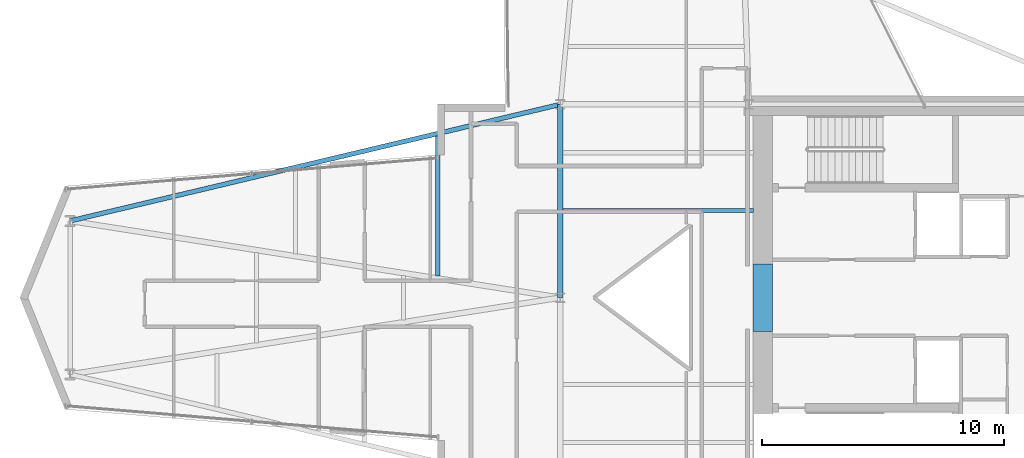
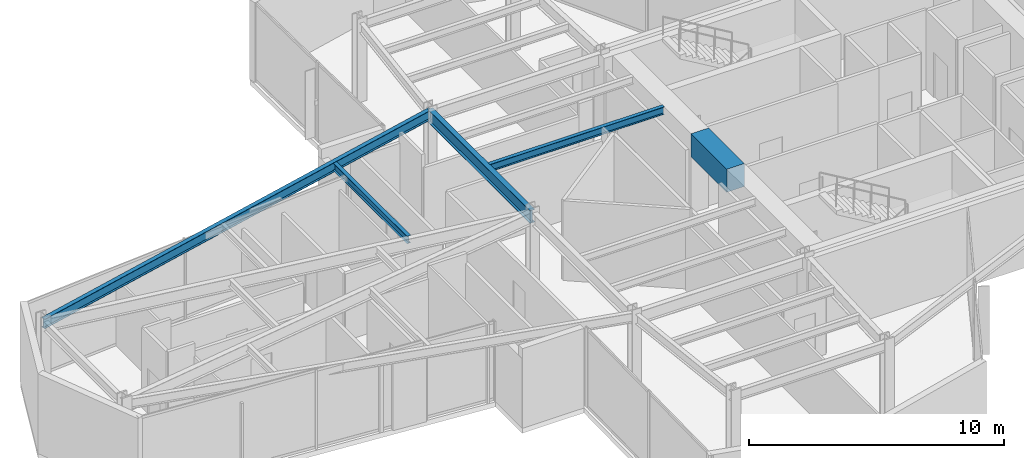
# One storey, part 9 of 25: 5 beams.
"""IFC4 building model written with IfcOpenShell, lengths in metres."""

import ifcopenshell
import ifcopenshell.guid

model = None  # the IFC model being written
_history = None  # IfcOwnerHistory: only IFC2X3 demands one
_inside = {}  # id of a spatial element -> (the spatial element, [elements in it])
_under = {}  # id of a project, library or spatial element -> (it, [spatial elements below it])
_declared = {}  # id of a project -> (the project, [libraries it declares])
_typed = {}  # id of a type object -> (the type object, [elements of that type])
_made_of = {}  # id of a material, layer set ... -> (it, [elements and type objects made of it])


def new_model(schema):
    """Start an empty IFC model of exactly this schema.

    Asked for "IFC4X3", IfcOpenShell would pick the latest addendum, in which some entities
    have other attributes; the version numbers below select the first issue.
    IFC2X3 requires an IfcOwnerHistory on every rooted entity: one is made here for all.
    """
    global model, _history
    if schema == "IFC4X3":
        model = ifcopenshell.file(schema_version=(4, 3, 0, 0))
    else:
        model = ifcopenshell.file(schema=schema)
    _inside.clear()
    _under.clear()
    _declared.clear()
    _typed.clear()
    _made_of.clear()
    _history = None
    if model.schema == "IFC2X3":
        org = make("IfcOrganization", Name="unknown")
        user = make(
            "IfcPersonAndOrganization",
            ThePerson=make("IfcPerson", FamilyName="unknown"),
            TheOrganization=org,
        )
        app = make(
            "IfcApplication",
            ApplicationDeveloper=org,
            Version="unknown",
            ApplicationFullName="unknown",
            ApplicationIdentifier="unknown",
        )
        _history = make(
            "IfcOwnerHistory",
            OwningUser=user,
            OwningApplication=app,
            ChangeAction="ADDED",
            CreationDate=0,
        )
    return model


def make(cls, **values):
    """One entity of the class cls with the attributes given. An attribute that is None is left unset."""
    return model.create_entity(
        cls, **{name: value for name, value in values.items() if value is not None}
    )


def rooted(cls, **values):
    """An entity with a GlobalId (a new one), such as an element, a storey or a relation."""
    return make(cls, GlobalId=ifcopenshell.guid.new(), OwnerHistory=_history, **values)


def si_unit(unit_type, name, prefix=None):
    """IfcSIUnit, for example si_unit("LENGTHUNIT", "METRE", prefix="MILLI")."""
    return make("IfcSIUnit", UnitType=unit_type, Prefix=prefix, Name=name)


def assignment(units):
    """IfcUnitAssignment: the units of a project."""
    return None if units is None else make("IfcUnitAssignment", Units=units)


def point(xyz):
    """IfcCartesianPoint."""
    return None if xyz is None else make("IfcCartesianPoint", Coordinates=xyz)


def direction(xyz):
    """IfcDirection."""
    return None if xyz is None else make("IfcDirection", DirectionRatios=xyz)


def frame(location, z_axis=None, x_axis=None):
    """IfcAxis2Placement3D, a coordinate frame: its origin and axes. An axis left out is left unset."""
    return make(
        "IfcAxis2Placement3D",
        Location=point(location),
        Axis=direction(z_axis),
        RefDirection=direction(x_axis),
    )


def frame_2d(location, x_axis=None):
    """IfcAxis2Placement2D, a coordinate frame in the plane: its origin and x axis."""
    return make(
        "IfcAxis2Placement2D", Location=point(location), RefDirection=direction(x_axis)
    )


def origin():
    """The frame at (0, 0, 0) with its axes left unset."""
    return frame((0.0, 0.0, 0.0))


def origin_2d():
    """The frame at (0, 0) in the plane with its x axis left unset."""
    return frame_2d((0.0, 0.0))


def place(relative_to, where):
    """IfcLocalPlacement: puts the frame where relative to a parent placement (None: the world)."""
    return make(
        "IfcLocalPlacement", PlacementRelTo=relative_to, RelativePlacement=where
    )


def context(
    kind, dimensions, precision=None, world=None, true_north=None, identifier=None
):
    """IfcGeometricRepresentationContext, for example the 3D "Model" context."""
    return make(
        "IfcGeometricRepresentationContext",
        ContextIdentifier=identifier,
        ContextType=kind,
        CoordinateSpaceDimension=dimensions,
        Precision=precision,
        WorldCoordinateSystem=world,
        TrueNorth=true_north,
    )


def subcontext(parent, identifier, kind, view, scale=None):
    """IfcGeometricRepresentationSubContext, for example "Body" below "Model"."""
    return make(
        "IfcGeometricRepresentationSubContext",
        ContextIdentifier=identifier,
        ContextType=kind,
        ParentContext=parent,
        TargetScale=scale,
        TargetView=view,
    )


def project(units=None, contexts=None):
    """IfcProject with its units and contexts."""
    return rooted(
        "IfcProject",
        Name="project",
        RepresentationContexts=contexts,
        UnitsInContext=assignment(units),
    )


def spatial(cls, under=None, at=None, **own):
    """A site, building, storey or space (cls), placed at a placement, below another one or the project."""
    s = rooted(cls, ObjectPlacement=at, **own)
    if under is not None:
        _under.setdefault(under.id(), (under, []))[1].append(s)
    return s


def profile(cls, at=None, kind="AREA", **sizes):
    """A parametric profile (cls). Its sizes go by their IFC names, for example OverallWidth=200.0."""
    return make(cls, ProfileType=kind, Position=at, **sizes)


def rectangle(**sizes):
    """IfcRectangleProfileDef."""
    return profile("IfcRectangleProfileDef", **sizes)


def i_section(**sizes):
    """IfcIShapeProfileDef."""
    return profile("IfcIShapeProfileDef", **sizes)


def extrude(swept, where, along, depth):
    """IfcExtrudedAreaSolid: the profile swept, set in the frame where, extruded along a direction by depth."""
    return make(
        "IfcExtrudedAreaSolid",
        SweptArea=swept,
        Position=where,
        ExtrudedDirection=direction(along),
        Depth=depth,
    )


def shape(context_of_items, identifier, shape_type, items):
    """IfcShapeRepresentation: the items that make up one representation, for example the "Body"."""
    return make(
        "IfcShapeRepresentation",
        ContextOfItems=context_of_items,
        RepresentationIdentifier=identifier,
        RepresentationType=shape_type,
        Items=items,
    )


def material(Name=None, Category=None):
    """IfcMaterial."""
    return make("IfcMaterial", Name=Name, Category=Category)


def material_profile(
    of_material, cross_section, Name=None, Category=None, Priority=None
):
    """IfcMaterialProfile: a cross section and its material."""
    return make(
        "IfcMaterialProfile",
        Name=Name,
        Material=of_material,
        Profile=cross_section,
        Priority=Priority,
        Category=Category,
    )


def profile_set(profiles, Name=None, composite=None):
    """IfcMaterialProfileSet."""
    return make(
        "IfcMaterialProfileSet",
        Name=Name,
        MaterialProfiles=profiles,
        CompositeProfile=composite,
    )


def made_of(thing, what):
    """Note that an element or type object is made of a material, layer set ...; save() writes the relation."""
    if what is not None:
        _made_of.setdefault(what.id(), (what, []))[1].append(thing)
    return thing


def type_object(cls, material=None, **own):
    """A type object (cls), such as IfcWallType, which elements share."""
    return made_of(rooted(cls, **own), material)


def element(
    cls,
    number,
    at=None,
    inside=None,
    cuts=None,
    type_object=None,
    material=None,
    context=None,
    identifier="Body",
    shape_type=None,
    held_by="IfcProductDefinitionShape",
    body=None,
    shapes=None,
    **own,
):
    """One element of the class cls, such as IfcWall. Its Tag is "e" and its number.

    at: its placement. inside: the storey or other place that contains it. cuts: it is an
    opening in that element (IfcRelVoidsElement). A single representation is given by context,
    identifier, shape_type and body (its items); several are given by shapes. held_by: the class
    of the entity that holds the representations. save() writes the other relations.
    """
    e = rooted(cls, Tag="e%d" % number, ObjectPlacement=at, **own)
    if body is not None:
        shapes = [shape(context, identifier, shape_type, body)]
    if shapes is not None:
        e.Representation = make(held_by, Representations=shapes)
    if inside is not None:
        _inside.setdefault(inside.id(), (inside, []))[1].append(e)
    if cuts is not None:
        rooted(
            "IfcRelVoidsElement", RelatingBuildingElement=cuts, RelatedOpeningElement=e
        )
    if type_object is not None:
        _typed.setdefault(type_object.id(), (type_object, []))[1].append(e)
    return made_of(e, material)


def aggregate(whole, parts):
    """IfcRelAggregates: a whole, such as a stair, and the parts it consists of."""
    return rooted("IfcRelAggregates", RelatingObject=whole, RelatedObjects=parts)


def save(model, path):
    """Write the relations noted so far, then the file.

    IfcRelAggregates (storeys below a building ...), IfcRelContainedInSpatialStructure (elements
    in a storey), IfcRelDefinesByType, IfcRelAssociatesMaterial and IfcRelDeclares: one each for
    every whole, place, type object, material and project.
    """
    for whole, parts in _under.values():
        aggregate(whole, parts)
    for where, things in _inside.values():
        rooted(
            "IfcRelContainedInSpatialStructure",
            RelatedElements=things,
            RelatingStructure=where,
        )
    for kind, things in _typed.values():
        rooted("IfcRelDefinesByType", RelatedObjects=things, RelatingType=kind)
    for what, things in _made_of.values():
        rooted("IfcRelAssociatesMaterial", RelatedObjects=things, RelatingMaterial=what)
    for by, libraries in _declared.values():
        rooted("IfcRelDeclares", RelatingContext=by, RelatedDefinitions=libraries)
    model.write(path)


model = new_model("IFC4")

# Units and contexts
model_context = context("Model", 3, precision=1e-05, world=origin(), true_north=direction((0.0, 1.0)))
body_context = subcontext(model_context, "Body", "Model", "MODEL_VIEW")
ifc_project = project(units=[si_unit("LENGTHUNIT", "METRE"), si_unit("AREAUNIT", "SQUARE_METRE"), si_unit("VOLUMEUNIT", "CUBIC_METRE"), si_unit("PLANEANGLEUNIT", "RADIAN"), si_unit("MASSUNIT", "GRAM", prefix="KILO")], contexts=[model_context])

# Site, building, storey
site_placement = place(None, origin())
site = spatial("IfcSite", under=ifc_project, at=site_placement, CompositionType="ELEMENT")
building_placement = place(site_placement, origin())
building = spatial("IfcBuilding", under=site, at=building_placement, Name="Veymaron Broadcast Tower", CompositionType="ELEMENT")
storey_placement = place(building_placement, frame((0.0, 0.0, 129.0)))
storey = spatial("IfcBuildingStorey", under=building, at=storey_placement, Name="L29", CompositionType="ELEMENT", Elevation=129.0)

# Beams
ifc_material_1 = material(Name="Concrete C70/85", Category="concrete")
ifc_material_profile_1 = material_profile(ifc_material_1, rectangle(XDim=0.800048828125, YDim=1.10009765625, at=origin_2d()), Name="RC800X1100")
ifc_profile_set_1 = profile_set([ifc_material_profile_1], Name="Concrete C70/85")
beam_type_1 = type_object("IfcBeamType", Name="BM-CB1", PredefinedType="LINTEL", material=ifc_profile_set_1)
beam_1_placement = place(storey_placement, frame((39.580078125, 22.60009765625, 3.260009765625), z_axis=(0.0, 1.0, 0.0), x_axis=(-1.0, 0.0, 0.0)))
element("IfcBeam", 1, at=beam_1_placement, inside=storey, type_object=beam_type_1, Name="L29 Core Wall west coupling beam", PredefinedType="LINTEL", context=body_context, shape_type="SweptSolid", body=[
    extrude(rectangle(XDim=0.800048828125, YDim=1.10009765625, at=origin_2d()), origin(), (0.0, 0.0, 1.0), 2.7998046875),
])
ifc_material_2 = material(Name="Structural steel ASTM A992 Gr 50", Category="steel")
ifc_material_profile_2 = material_profile(ifc_material_2, i_section(OverallWidth=0.22802734375, OverallDepth=0.60791015625, WebThickness=0.01123046875, FlangeThickness=0.017333984375, at=origin_2d()), Name="W610X113")
ifc_profile_set_2 = profile_set([ifc_material_profile_2], Name="Structural steel ASTM A992 Gr 50")
beam_type_2 = type_object("IfcBeamType", Name="BM-FG2", PredefinedType="BEAM", material=ifc_profile_set_2)
beam_2_placement = place(storey_placement, frame((31.199951171875, 24.0, 3.506103515625), z_axis=(0.0, 1.0, 0.0), x_axis=(-1.0, 0.0, 0.0)))
element("IfcBeam", 2, at=beam_2_placement, inside=storey, type_object=beam_type_2, Name="L29 primary structural floor girder", PredefinedType="BEAM", context=body_context, shape_type="SweptSolid", body=[
    extrude(i_section(OverallWidth=0.22802734375, OverallDepth=0.60791015625, WebThickness=0.01123046875, FlangeThickness=0.017333984375, at=origin_2d()), origin(), (0.0, 0.0, 1.0), 8.0),
])
ifc_material_profile_3 = material_profile(ifc_material_2, i_section(OverallWidth=0.1708984375, OverallDepth=0.35498046875, WebThickness=0.007080078125, FlangeThickness=0.01171875, at=origin_2d()), Name="W360X51")
ifc_profile_set_3 = profile_set([ifc_material_profile_3], Name="Structural steel ASTM A992 Gr 50")
beam_type_3 = type_object("IfcBeamType", Name="BM-JS2", PredefinedType="JOIST", material=ifc_profile_set_3)
beam_3_placement = place(storey_placement, frame((26.126220703125, 24.893798828125, 3.632568359375), z_axis=(0.0, 1.0, 0.0), x_axis=(-1.0, 0.0, 0.0)))
element("IfcBeam", 3, at=beam_3_placement, inside=storey, type_object=beam_type_3, Name="L29 Arm-A secondary joist 2N", PredefinedType="JOIST", context=body_context, shape_type="SweptSolid", body=[
    extrude(i_section(OverallWidth=0.1708984375, OverallDepth=0.35498046875, WebThickness=0.007080078125, FlangeThickness=0.01171875, at=origin_2d()), origin(), (0.0, 0.0, 1.0), 5.7998046875),
])
beam_4_placement = place(storey_placement, frame((31.300048828125, 27.60009765625, 3.632568359375), z_axis=(1.0, 0.0, 0.0), x_axis=(0.0, 1.0, 0.0)))
element("IfcBeam", 4, at=beam_4_placement, inside=storey, type_object=beam_type_3, Name="L29 Hub secondary joist 3", PredefinedType="JOIST", context=body_context, shape_type="SweptSolid", body=[
    extrude(i_section(OverallWidth=0.1708984375, OverallDepth=0.35498046875, WebThickness=0.007080078125, FlangeThickness=0.01171875, at=origin_2d()), origin(), (0.0, 0.0, 1.0), 7.89990234375),
])
ifc_material_profile_4 = material_profile(ifc_material_2, i_section(OverallWidth=0.19091796875, OverallDepth=0.4599609375, WebThickness=0.010009765625, FlangeThickness=0.01611328125, at=origin_2d()), Name="W460X82")
ifc_profile_set_4 = profile_set([ifc_material_profile_4], Name="Structural steel ASTM A992 Gr 50")
beam_type_4 = type_object("IfcBeamType", Name="BM-SP1", PredefinedType="SPANDREL", material=ifc_profile_set_4)
beam_5_placement = place(storey_placement, frame((10.905029296875, 27.175048828125, 3.580078125), z_axis=(0.972883639047, 0.231295103437, 0.0), x_axis=(-0.231295103437, 0.972883639047, 0.0)))
element("IfcBeam", 5, at=beam_5_placement, inside=storey, type_object=beam_type_4, Name="L29 primary structural floor girder", PredefinedType="SPANDREL", context=body_context, shape_type="SweptSolid", body=[
    extrude(i_section(OverallWidth=0.19091796875, OverallDepth=0.4599609375, WebThickness=0.010009765625, FlangeThickness=0.01611328125, at=origin_2d()), origin(), (0.0, 0.0, 1.0), 20.860595703125),
])

save(model, "model.ifc")
